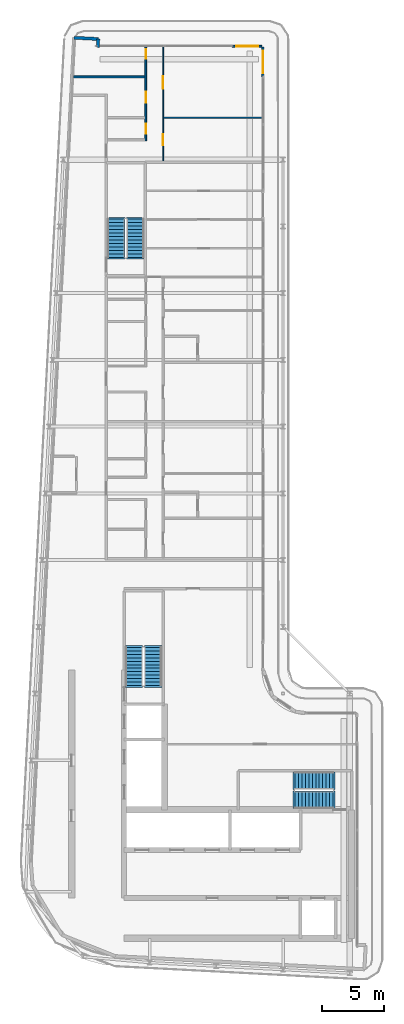
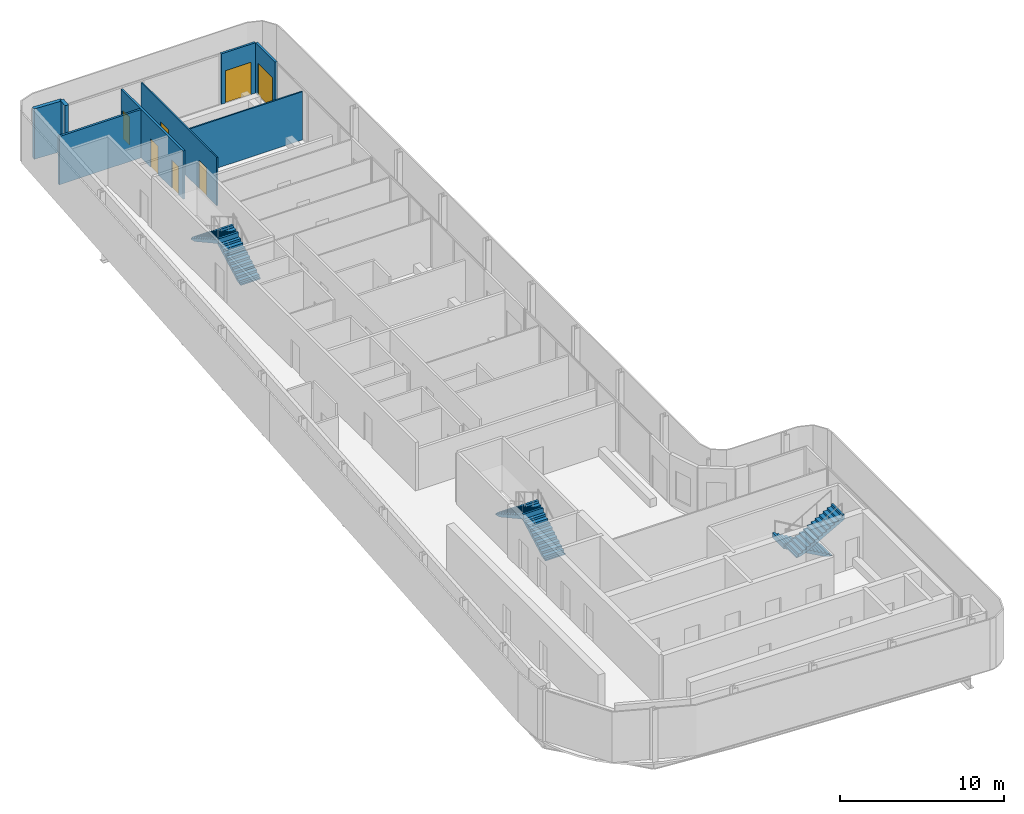
# One storey, part 12 of 18: 8 walls, 7 doors, 6 stair flights, 7 openings, 3 elements without a shape of their own.
"""IFC4 building model written with IfcOpenShell, lengths in metres."""

from ifc_helpers import new_model, si_unit, direction, frame, frame_2d, origin, place, context, subcontext, project, spatial, polyline, rectangle, outline, extrude, source, transform, mapped, material, layer, layer_set, type_object, element, fill, aggregate, save


model = new_model("IFC4")

# Units and contexts
model_context = context("Model", 3, precision=1e-05, world=origin(), true_north=direction((0.0, 1.0)))
body_context = subcontext(model_context, "Body", "Model", "MODEL_VIEW")
ifc_project = project(units=[si_unit("LENGTHUNIT", "METRE"), si_unit("AREAUNIT", "SQUARE_METRE"), si_unit("VOLUMEUNIT", "CUBIC_METRE"), si_unit("PLANEANGLEUNIT", "RADIAN"), si_unit("MASSUNIT", "GRAM", prefix="KILO")], contexts=[model_context])

# Site, building, storey
site_placement = place(None, origin())
site = spatial("IfcSite", under=ifc_project, at=site_placement, CompositionType="ELEMENT")
building_placement = place(site_placement, origin())
building = spatial("IfcBuilding", under=site, at=building_placement, Name="Kheshtan School and Residences Tower", CompositionType="ELEMENT")
storey_placement = place(building_placement, frame((0.0, 0.0, 369.5)))
storey = spatial("IfcBuildingStorey", under=building, at=storey_placement, Name="L87", CompositionType="ELEMENT", Elevation=369.5)

# Walls
ifc_material_1 = material(Name="Concrete C40/50 with ceramic cladding and mineral wool insulation", Category="concrete")
ifc_layer_1 = layer(ifc_material_1, 0.25)
ifc_layer_set_1 = layer_set([ifc_layer_1], Name="External wall 250 ceramic clad")
wall_type_1 = type_object("IfcWallType", Name="External wall 250 ceramic clad", PredefinedType="SOLIDWALL", material=ifc_layer_set_1)
wall_1_placement = place(storey_placement, frame((30.705078125, 98.6640625, 0.0), z_axis=(0.0, 0.0, 1.0), x_axis=(0.998577785791, -0.053314216913, 0.0)))
element("IfcWall", 1, at=wall_1_placement, inside=storey, type_object=wall_type_1, Name="External wall L87 5", PredefinedType="SOLIDWALL", context=body_context, shape_type="SweptSolid", body=[
    extrude(rectangle(XDim=1.95068359375, YDim=0.25, at=frame_2d((0.975341796875, 0.0))), origin(), (0.0, 0.0, 1.0), 3.75),
])
wall_2_placement = place(storey_placement, frame((32.653076171875, 98.56005859375, 0.0), z_axis=(0.0, 0.0, 1.0), x_axis=(-0.054093451632, -0.998535877418, 0.0)))
element("IfcWall", 2, at=wall_2_placement, inside=storey, type_object=wall_type_1, Name="External wall L87 6", PredefinedType="SOLIDWALL", context=body_context, shape_type="SweptSolid", body=[
    extrude(rectangle(XDim=0.66796875, YDim=0.25, at=frame_2d((0.333984375, 0.0))), origin(), (0.0, 0.0, 1.0), 3.75),
])

# Wall, opening, door
ifc_material_2 = material(Name="Aluminium frame wall with insulated infill", Category="aluminium")
ifc_layer_2 = layer(ifc_material_2, 0.14990234375)
ifc_layer_set_2 = layer_set([ifc_layer_2], Name="Glazing frame wall 150")
wall_type_2 = type_object("IfcWallType", Name="Glazing frame wall 150", PredefinedType="SOLIDWALL", material=ifc_layer_set_2)
wall_3_placement = place(storey_placement, frame((43.5, 97.97509765625, 0.0), z_axis=(0.0, 0.0, 1.0), x_axis=(1.0, 0.0, 0.0)))
wall_3 = element("IfcWall", 3, at=wall_3_placement, inside=storey, type_object=wall_type_2, Name="Balcony door wall L87 7.1", PredefinedType="SOLIDWALL", context=body_context, shape_type="SweptSolid", body=[
    extrude(rectangle(XDim=2.39990234375, YDim=0.14990234375, at=frame_2d((1.199951171875, 0.0))), origin(), (0.0, 0.0, 1.0), 3.75),
])
opening_1_placement = place(wall_3_placement, frame((0.300048828125, 0.0, 0.0)))
opening_1 = element("IfcOpeningElement", 4, at=opening_1_placement, cuts=wall_3, Name="Opening BD", PredefinedType="OPENING", context=body_context, shape_type="SweptSolid", body=[
    extrude(rectangle(XDim=1.800048828125, YDim=2.39990234375, at=frame_2d((0.89990234375, 1.199951171875))), frame((0.0, 0.0849609375, 0.0), z_axis=(0.0, -1.0, 0.0), x_axis=(1.0, 0.0, 0.0)), (0.0, 0.0, 1.0), 0.169921875),
])
ifc_material_3 = material(Name="Clear low-e glass in thermally broken aluminium frame", Category="aluminium")
door_type_1 = type_object("IfcDoorType", Name="Balcony sliding door", OperationType="SLIDING_TO_LEFT", PredefinedType="DOOR", material=ifc_material_3)
shared_shape_1 = source(origin(), body_context, "Body", "SweptSolid", [
    extrude(rectangle(XDim=1.800048828125, YDim=2.39990234375, at=frame_2d((0.89990234375, 1.199951171875))), frame((0.0, 0.02490234375, 0.0), z_axis=(0.0, -1.0, 0.0), x_axis=(1.0, 0.0, 0.0)), (0.0, 0.0, 1.0), 0.050048828125),
])
door_1_placement = place(opening_1_placement, origin())
door_1 = element("IfcDoor", 5, at=door_1_placement, inside=storey, type_object=door_type_1, Name="Balcony door L87 7.1", OperationType="SLIDING_TO_LEFT", OverallHeight=2.39990234375, OverallWidth=1.800048828125, PredefinedType="DOOR", context=body_context, shape_type="MappedRepresentation", body=[
    mapped(shared_shape_1, transform((0.0, 0.0, 0.0), x_axis=(1.0, 0.0, 0.0), y_axis=(0.0, 1.0, 0.0), z_axis=(0.0, 0.0, 1.0), scale=1.0)),
])
fill(opening_1, door_1)

wall_4_placement = place(storey_placement, frame((45.97509765625, 97.89990234375, 0.0), z_axis=(0.0, 0.0, 1.0), x_axis=(0.0, -1.0, 0.0)))
wall_4 = element("IfcWall", 6, at=wall_4_placement, inside=storey, type_object=wall_type_2, Name="Balcony door wall L87 8.1", PredefinedType="SOLIDWALL", context=body_context, shape_type="SweptSolid", body=[
    extrude(rectangle(XDim=2.39990234375, YDim=0.14990234375, at=frame_2d((1.199951171875, 0.0))), origin(), (0.0, 0.0, 1.0), 3.75),
])
opening_2_placement = place(wall_4_placement, frame((0.300048828125, 0.0, 0.0)))
opening_2 = element("IfcOpeningElement", 7, at=opening_2_placement, cuts=wall_4, Name="Opening BD", PredefinedType="OPENING", context=body_context, shape_type="SweptSolid", body=[
    extrude(rectangle(XDim=1.800048828125, YDim=2.39990234375, at=frame_2d((0.89990234375, 1.199951171875))), frame((0.0, 0.0849609375, 0.0), z_axis=(0.0, -1.0, 0.0), x_axis=(1.0, 0.0, 0.0)), (0.0, 0.0, 1.0), 0.169921875),
])
door_2_placement = place(opening_2_placement, origin())
door_2 = element("IfcDoor", 8, at=door_2_placement, inside=storey, type_object=door_type_1, Name="Balcony door L87 8.1", OperationType="SLIDING_TO_LEFT", OverallHeight=2.39990234375, OverallWidth=1.800048828125, PredefinedType="DOOR", context=body_context, shape_type="MappedRepresentation", body=[
    mapped(shared_shape_1, transform((0.0, 0.0, 0.0), x_axis=(1.0, 0.0, 0.0), y_axis=(0.0, 1.0, 0.0), z_axis=(0.0, 0.0, 1.0), scale=1.0)),
])
fill(opening_2, door_2)

# Wall, openings, doors
ifc_material_4 = material(Name="Gypsum board on steel studs", Category="steel")
ifc_layer_3 = layer(ifc_material_4, 0.10009765625)
ifc_layer_set_3 = layer_set([ifc_layer_3], Name="Gypsum partition 100")
wall_type_3 = type_object("IfcWallType", Name="Gypsum partition 100", PredefinedType="PARTITIONING", material=ifc_layer_set_3)
wall_5_placement = place(storey_placement, frame((37.89990234375, 88.699951171875, 0.0), z_axis=(0.0, 0.0, 1.0), x_axis=(0.0, 1.0, 0.0)))
wall_5 = element("IfcWall", 9, at=wall_5_placement, inside=storey, type_object=wall_type_3, Name="Partition L87-030", PredefinedType="PARTITIONING", context=body_context, shape_type="SweptSolid", body=[
    extrude(rectangle(XDim=9.199951171875, YDim=0.10009765625, at=frame_2d((4.60009765625, 0.0))), origin(), (0.0, 0.0, 1.0), 3.60009765625),
])
opening_3_placement = place(wall_5_placement, frame((1.25, 0.0, 0.0)))
opening_3 = element("IfcOpeningElement", 10, at=opening_3_placement, cuts=wall_5, Name="Opening D87-024", PredefinedType="OPENING", context=body_context, shape_type="SweptSolid", body=[
    extrude(rectangle(XDim=0.89990234375, YDim=2.10009765625, at=frame_2d((0.449951171875, 1.050048828125))), frame((0.0, 0.06005859375, 0.0), z_axis=(0.0, -1.0, 0.0), x_axis=(1.0, 0.0, 0.0)), (0.0, 0.0, 1.0), 0.1201171875),
])
opening_4_placement = place(wall_5_placement, frame((5.85009765625, 0.0, 0.0)))
opening_4 = element("IfcOpeningElement", 11, at=opening_4_placement, cuts=wall_5, Name="Opening D87-027", PredefinedType="OPENING", context=body_context, shape_type="SweptSolid", body=[
    extrude(rectangle(XDim=1.0, YDim=2.10009765625, at=frame_2d((0.5, 1.050048828125))), frame((0.0, 0.06005859375, 0.0), z_axis=(0.0, -1.0, 0.0), x_axis=(1.0, 0.0, 0.0)), (0.0, 0.0, 1.0), 0.1201171875),
])
ifc_material_5 = material(Name="Veneered timber door leaf", Category="wood")
door_type_2 = type_object("IfcDoorType", Name="Door 1000 x 2100", OperationType="SINGLE_SWING_LEFT", PredefinedType="DOOR", material=ifc_material_5)
shared_shape_2 = source(origin(), body_context, "Body", "SweptSolid", [
    extrude(rectangle(XDim=1.0, YDim=2.10009765625, at=frame_2d((0.5, 1.050048828125))), frame((0.0, 0.02490234375, 0.0), z_axis=(0.0, -1.0, 0.0), x_axis=(1.0, 0.0, 0.0)), (0.0, 0.0, 1.0), 0.050048828125),
])
door_3_placement = place(opening_4_placement, origin())
door_3 = element("IfcDoor", 12, at=door_3_placement, inside=storey, type_object=door_type_2, Name="Door D87-027", OperationType="SINGLE_SWING_RIGHT", OverallHeight=2.10009765625, OverallWidth=1.0, PredefinedType="DOOR", context=body_context, shape_type="MappedRepresentation", body=[
    mapped(shared_shape_2, transform((0.0, 0.0, 0.0), x_axis=(1.0, 0.0, 0.0), y_axis=(0.0, 1.0, 0.0), z_axis=(0.0, 0.0, 1.0), scale=1.0)),
])
fill(opening_4, door_3)
door_type_3 = type_object("IfcDoorType", Name="Door 900 x 2100", OperationType="SINGLE_SWING_LEFT", PredefinedType="DOOR", material=ifc_material_5)
shared_shape_3 = source(origin(), body_context, "Body", "SweptSolid", [
    extrude(rectangle(XDim=0.89990234375, YDim=2.10009765625, at=frame_2d((0.449951171875, 1.050048828125))), frame((0.0, 0.02490234375, 0.0), z_axis=(0.0, -1.0, 0.0), x_axis=(1.0, 0.0, 0.0)), (0.0, 0.0, 1.0), 0.050048828125),
])
door_4_placement = place(opening_3_placement, origin())
door_4 = element("IfcDoor", 13, at=door_4_placement, inside=storey, type_object=door_type_3, Name="Door D87-024", OperationType="SINGLE_SWING_LEFT", OverallHeight=2.10009765625, OverallWidth=0.89990234375, PredefinedType="DOOR", context=body_context, shape_type="MappedRepresentation", body=[
    mapped(shared_shape_3, transform((0.0, 0.0, 0.0), x_axis=(1.0, 0.0, 0.0), y_axis=(0.0, 1.0, 0.0), z_axis=(0.0, 0.0, 1.0), scale=1.0)),
])
fill(opening_3, door_4)

# Walls
wall_6_placement = place(storey_placement, frame((37.949951171875, 92.199951171875, 0.0), z_axis=(0.0, 0.0, 1.0), x_axis=(1.0, 0.0, 0.0)))
element("IfcWall", 14, at=wall_6_placement, inside=storey, type_object=wall_type_3, Name="Partition L87-031", PredefinedType="PARTITIONING", context=body_context, shape_type="SweptSolid", body=[
    extrude(rectangle(XDim=7.949951171875, YDim=0.10009765625, at=frame_2d((3.97509765625, 0.0))), origin(), (0.0, 0.0, 1.0), 3.60009765625),
])
ifc_material_6 = material(Name="Moisture-resistant gypsum board on steel studs", Category="steel")
ifc_layer_4 = layer(ifc_material_6, 0.14990234375)
ifc_layer_set_4 = layer_set([ifc_layer_4], Name="Wet-room partition 150")
wall_type_4 = type_object("IfcWallType", Name="Wet-room partition 150", PredefinedType="PARTITIONING", material=ifc_layer_set_4)
wall_7_placement = place(storey_placement, frame((30.6640625, 95.5, 0.0), z_axis=(0.0, 0.0, 1.0), x_axis=(1.0, 0.0, 0.0)))
element("IfcWall", 15, at=wall_7_placement, inside=storey, type_object=wall_type_4, Name="Partition L87-001", PredefinedType="PARTITIONING", context=body_context, shape_type="SweptSolid", body=[
    extrude(rectangle(XDim=5.760986328125, YDim=0.14990234375, at=frame_2d((2.88037109375, 0.0))), origin(), (0.0, 0.0, 1.0), 3.60009765625),
])

# Wall, openings, doors
wall_8_placement = place(storey_placement, frame((36.5, 90.324951171875, 0.0), z_axis=(0.0, 0.0, 1.0), x_axis=(0.0, 1.0, 0.0)))
wall_8 = element("IfcWall", 16, at=wall_8_placement, inside=storey, type_object=wall_type_4, Name="Partition L87-024", PredefinedType="PARTITIONING", context=body_context, shape_type="SweptSolid", body=[
    extrude(rectangle(XDim=7.574951171875, YDim=0.14990234375, at=frame_2d((3.78759765625, 0.0))), origin(), (0.0, 0.0, 1.0), 3.60009765625),
])
opening_5_placement = place(wall_8_placement, frame((6.625, 0.0, 0.0)))
opening_5 = element("IfcOpeningElement", 17, at=opening_5_placement, cuts=wall_8, Name="Opening D87-023", PredefinedType="OPENING", context=body_context, shape_type="SweptSolid", body=[
    extrude(rectangle(XDim=0.800048828125, YDim=2.10009765625, at=frame_2d((0.39990234375, 1.050048828125))), frame((0.0, 0.0849609375, 0.0), z_axis=(0.0, -1.0, 0.0), x_axis=(1.0, 0.0, 0.0)), (0.0, 0.0, 1.0), 0.169921875),
])
opening_6_placement = place(wall_8_placement, frame((3.074951171875, 0.0, 0.0)))
opening_6 = element("IfcOpeningElement", 18, at=opening_6_placement, cuts=wall_8, Name="Opening D87-026", PredefinedType="OPENING", context=body_context, shape_type="SweptSolid", body=[
    extrude(rectangle(XDim=0.89990234375, YDim=2.10009765625, at=frame_2d((0.449951171875, 1.050048828125))), frame((0.0, 0.0849609375, 0.0), z_axis=(0.0, -1.0, 0.0), x_axis=(1.0, 0.0, 0.0)), (0.0, 0.0, 1.0), 0.169921875),
])
opening_7_placement = place(wall_8_placement, frame((0.574951171875, 0.0, 0.0)))
opening_7 = element("IfcOpeningElement", 19, at=opening_7_placement, cuts=wall_8, Name="Opening D87-028", PredefinedType="OPENING", context=body_context, shape_type="SweptSolid", body=[
    extrude(rectangle(XDim=0.800048828125, YDim=2.10009765625, at=frame_2d((0.39990234375, 1.050048828125))), frame((0.0, 0.0849609375, 0.0), z_axis=(0.0, -1.0, 0.0), x_axis=(1.0, 0.0, 0.0)), (0.0, 0.0, 1.0), 0.169921875),
])
door_type_4 = type_object("IfcDoorType", Name="Door 800 x 2100", OperationType="SINGLE_SWING_LEFT", PredefinedType="DOOR", material=ifc_material_5)
shared_shape_4 = source(origin(), body_context, "Body", "SweptSolid", [
    extrude(rectangle(XDim=0.800048828125, YDim=2.10009765625, at=frame_2d((0.39990234375, 1.050048828125))), frame((0.0, 0.02490234375, 0.0), z_axis=(0.0, -1.0, 0.0), x_axis=(1.0, 0.0, 0.0)), (0.0, 0.0, 1.0), 0.050048828125),
])
door_5_placement = place(opening_5_placement, origin())
door_5 = element("IfcDoor", 20, at=door_5_placement, inside=storey, type_object=door_type_4, Name="Door D87-023", OperationType="SINGLE_SWING_LEFT", OverallHeight=2.10009765625, OverallWidth=0.800048828125, PredefinedType="DOOR", context=body_context, shape_type="MappedRepresentation", body=[
    mapped(shared_shape_4, transform((0.0, 0.0, 0.0), x_axis=(1.0, 0.0, 0.0), y_axis=(0.0, 1.0, 0.0), z_axis=(0.0, 0.0, 1.0), scale=1.0)),
])
fill(opening_5, door_5)
door_6_placement = place(opening_7_placement, origin())
door_6 = element("IfcDoor", 21, at=door_6_placement, inside=storey, type_object=door_type_4, Name="Door D87-028", OperationType="SINGLE_SWING_RIGHT", OverallHeight=2.10009765625, OverallWidth=0.800048828125, PredefinedType="DOOR", context=body_context, shape_type="MappedRepresentation", body=[
    mapped(shared_shape_4, transform((0.0, 0.0, 0.0), x_axis=(1.0, 0.0, 0.0), y_axis=(0.0, 1.0, 0.0), z_axis=(0.0, 0.0, 1.0), scale=1.0)),
])
fill(opening_7, door_6)
door_7_placement = place(opening_6_placement, origin())
door_7 = element("IfcDoor", 22, at=door_7_placement, inside=storey, type_object=door_type_3, Name="Door D87-026", OperationType="SINGLE_SWING_LEFT", OverallHeight=2.10009765625, OverallWidth=0.89990234375, PredefinedType="DOOR", context=body_context, shape_type="MappedRepresentation", body=[
    mapped(shared_shape_3, transform((0.0, 0.0, 0.0), x_axis=(1.0, 0.0, 0.0), y_axis=(0.0, 1.0, 0.0), z_axis=(0.0, 0.0, 1.0), scale=1.0)),
])
fill(opening_6, door_7)

# Stair, stair flights
ifc_material_7 = material(Name="Concrete C40/50", Category="concrete")
stair_type = type_object("IfcStairType", Name="Exit stair, half-turn", PredefinedType="HALF_TURN_STAIR", material=ifc_material_7)
stair_1_placement = place(storey_placement, origin())
stair_1 = element("IfcStair", 23, at=stair_1_placement, inside=storey, type_object=stair_type, Name="L87 Protected Exit Stair ST1", PredefinedType="HALF_TURN_STAIR")
ifc_layer_5 = layer(ifc_material_7, 0.14990234375)
ifc_layer_set_5 = layer_set([ifc_layer_5], Name="Stair flight 1400 Concrete C40/50")
stair_flight_type = type_object("IfcStairFlightType", Name="Stair flight 1400 Concrete C40/50", PredefinedType="STRAIGHT", material=ifc_layer_set_5)
stair_flight_1_placement = place(storey_placement, frame((51.64990234375, 38.550048828125, 0.0), z_axis=(0.0, 0.0, 1.0), x_axis=(-1.0, 0.0, 0.0)))
stair_flight_1 = element("IfcStairFlight", 24, at=stair_flight_1_placement, type_object=stair_flight_type, Name="ST1 flight 1", NumberOfRisers=12, NumberOfTreads=11, PredefinedType="STRAIGHT", RiserHeight=0.1625, TreadLength=0.28, context=body_context, shape_type="SweptSolid", body=[
    extrude(outline(polyline([(-0.14990234375, -0.10009765625), (-0.14990234375, 0.0), (0.0, 0.0), (0.0, 0.16259765625), (0.280029296875, 0.16259765625), (0.280029296875, 0.324951171875), (0.56005859375, 0.324951171875), (0.56005859375, 0.487548828125), (0.840087890625, 0.487548828125), (0.840087890625, 0.64990234375), (1.1201171875, 0.64990234375), (1.1201171875, 0.8125), (1.39990234375, 0.8125), (1.39990234375, 0.97509765625), (1.679931640625, 0.97509765625), (1.679931640625, 1.137451171875), (1.9599609375, 1.137451171875), (1.9599609375, 1.300048828125), (2.239990234375, 1.300048828125), (2.239990234375, 1.46240234375), (2.52001953125, 1.46240234375), (2.52001953125, 1.625), (2.800048828125, 1.625), (2.800048828125, 1.78759765625), (3.080078125, 1.78759765625), (3.080078125, 1.949951171875), (3.080078125, 1.969970703125), (3.22998046875, 1.969970703125), (3.22998046875, 1.6142578125), (0.298583984375, 0.0), (-0.14990234375, -0.10009765625)])), frame((0.0, 0.699951171875, 0.0), z_axis=(0.0, -1.0, 0.0), x_axis=(1.0, 0.0, 0.0)), (0.0, 0.0, 1.0), 1.39990234375),
])
stair_flight_2_placement = place(storey_placement, frame((48.570068359375, 37.0, 1.949951171875), z_axis=(0.0, 0.0, 1.0), x_axis=(1.0, 0.0, 0.0)))
stair_flight_2 = element("IfcStairFlight", 25, at=stair_flight_2_placement, type_object=stair_flight_type, Name="ST1 flight 2", NumberOfRisers=12, NumberOfTreads=11, PredefinedType="STRAIGHT", RiserHeight=0.1625, TreadLength=0.28, context=body_context, shape_type="SweptSolid", body=[
    extrude(outline(polyline([(-0.14990234375, -0.10009765625), (-0.14990234375, 0.0), (0.0, 0.0), (0.0, 0.16259765625), (0.280029296875, 0.16259765625), (0.280029296875, 0.324951171875), (0.56005859375, 0.324951171875), (0.56005859375, 0.487548828125), (0.840087890625, 0.487548828125), (0.840087890625, 0.64990234375), (1.1201171875, 0.64990234375), (1.1201171875, 0.8125), (1.39990234375, 0.8125), (1.39990234375, 0.97509765625), (1.679931640625, 0.97509765625), (1.679931640625, 1.137451171875), (1.9599609375, 1.137451171875), (1.9599609375, 1.300048828125), (2.239990234375, 1.300048828125), (2.239990234375, 1.46240234375), (2.52001953125, 1.46240234375), (2.52001953125, 1.625), (2.800048828125, 1.625), (2.800048828125, 1.78759765625), (3.080078125, 1.78759765625), (3.080078125, 1.949951171875), (3.080078125, 1.969970703125), (3.22998046875, 1.969970703125), (3.22998046875, 1.6142578125), (0.298583984375, 0.0), (-0.14990234375, -0.10009765625)])), frame((0.0, 0.699951171875, 0.0), z_axis=(0.0, -1.0, 0.0), x_axis=(1.0, 0.0, 0.0)), (0.0, 0.0, 1.0), 1.39990234375),
])
aggregate(stair_1, [stair_flight_1, stair_flight_2])

stair_2_placement = place(storey_placement, origin())
stair_2 = element("IfcStair", 26, at=stair_2_placement, inside=storey, type_object=stair_type, Name="L87 Protected Exit Stair ST2", PredefinedType="HALF_TURN_STAIR")
stair_flight_3_placement = place(storey_placement, frame((37.10009765625, 46.25, 0.0), z_axis=(0.0, 0.0, 1.0), x_axis=(0.0, 1.0, 0.0)))
stair_flight_3 = element("IfcStairFlight", 27, at=stair_flight_3_placement, type_object=stair_flight_type, Name="ST2 flight 1", NumberOfRisers=12, NumberOfTreads=11, PredefinedType="STRAIGHT", RiserHeight=0.1625, TreadLength=0.28, context=body_context, shape_type="SweptSolid", body=[
    extrude(outline(polyline([(-0.14990234375, -0.10009765625), (-0.14990234375, 0.0), (0.0, 0.0), (0.0, 0.16259765625), (0.280029296875, 0.16259765625), (0.280029296875, 0.324951171875), (0.56005859375, 0.324951171875), (0.56005859375, 0.487548828125), (0.840087890625, 0.487548828125), (0.840087890625, 0.64990234375), (1.1201171875, 0.64990234375), (1.1201171875, 0.8125), (1.39990234375, 0.8125), (1.39990234375, 0.97509765625), (1.679931640625, 0.97509765625), (1.679931640625, 1.137451171875), (1.9599609375, 1.137451171875), (1.9599609375, 1.300048828125), (2.239990234375, 1.300048828125), (2.239990234375, 1.46240234375), (2.52001953125, 1.46240234375), (2.52001953125, 1.625), (2.800048828125, 1.625), (2.800048828125, 1.78759765625), (3.080078125, 1.78759765625), (3.080078125, 1.949951171875), (3.080078125, 1.969970703125), (3.22998046875, 1.969970703125), (3.22998046875, 1.6142578125), (0.298583984375, 0.0), (-0.14990234375, -0.10009765625)])), frame((0.0, 0.699951171875, 0.0), z_axis=(0.0, -1.0, 0.0), x_axis=(1.0, 0.0, 0.0)), (0.0, 0.0, 1.0), 1.39990234375),
])
stair_flight_4_placement = place(storey_placement, frame((35.550048828125, 49.330078125, 1.949951171875), z_axis=(0.0, 0.0, 1.0), x_axis=(0.0, -1.0, 0.0)))
stair_flight_4 = element("IfcStairFlight", 28, at=stair_flight_4_placement, type_object=stair_flight_type, Name="ST2 flight 2", NumberOfRisers=12, NumberOfTreads=11, PredefinedType="STRAIGHT", RiserHeight=0.1625, TreadLength=0.28, context=body_context, shape_type="SweptSolid", body=[
    extrude(outline(polyline([(-0.14990234375, -0.10009765625), (-0.14990234375, 0.0), (0.0, 0.0), (0.0, 0.16259765625), (0.280029296875, 0.16259765625), (0.280029296875, 0.324951171875), (0.56005859375, 0.324951171875), (0.56005859375, 0.487548828125), (0.840087890625, 0.487548828125), (0.840087890625, 0.64990234375), (1.1201171875, 0.64990234375), (1.1201171875, 0.8125), (1.39990234375, 0.8125), (1.39990234375, 0.97509765625), (1.679931640625, 0.97509765625), (1.679931640625, 1.137451171875), (1.9599609375, 1.137451171875), (1.9599609375, 1.300048828125), (2.239990234375, 1.300048828125), (2.239990234375, 1.46240234375), (2.52001953125, 1.46240234375), (2.52001953125, 1.625), (2.800048828125, 1.625), (2.800048828125, 1.78759765625), (3.080078125, 1.78759765625), (3.080078125, 1.949951171875), (3.080078125, 1.969970703125), (3.22998046875, 1.969970703125), (3.22998046875, 1.6142578125), (0.298583984375, 0.0), (-0.14990234375, -0.10009765625)])), frame((0.0, 0.699951171875, 0.0), z_axis=(0.0, -1.0, 0.0), x_axis=(1.0, 0.0, 0.0)), (0.0, 0.0, 1.0), 1.39990234375),
])
aggregate(stair_2, [stair_flight_3, stair_flight_4])

stair_3_placement = place(storey_placement, origin())
stair_3 = element("IfcStair", 29, at=stair_3_placement, inside=storey, type_object=stair_type, Name="L87 Protected Exit Stair ST3", PredefinedType="HALF_TURN_STAIR")
stair_flight_5_placement = place(storey_placement, frame((35.64990234375, 80.89990234375, 0.0), z_axis=(0.0, 0.0, 1.0), x_axis=(0.0, 1.0, 0.0)))
stair_flight_5 = element("IfcStairFlight", 30, at=stair_flight_5_placement, type_object=stair_flight_type, Name="ST3 flight 1", NumberOfRisers=12, NumberOfTreads=11, PredefinedType="STRAIGHT", RiserHeight=0.1625, TreadLength=0.28, context=body_context, shape_type="SweptSolid", body=[
    extrude(outline(polyline([(-0.14990234375, -0.10009765625), (-0.14990234375, 0.0), (0.0, 0.0), (0.0, 0.16259765625), (0.280029296875, 0.16259765625), (0.280029296875, 0.324951171875), (0.56005859375, 0.324951171875), (0.56005859375, 0.487548828125), (0.840087890625, 0.487548828125), (0.840087890625, 0.64990234375), (1.1201171875, 0.64990234375), (1.1201171875, 0.8125), (1.39990234375, 0.8125), (1.39990234375, 0.97509765625), (1.679931640625, 0.97509765625), (1.679931640625, 1.137451171875), (1.9599609375, 1.137451171875), (1.9599609375, 1.300048828125), (2.239990234375, 1.300048828125), (2.239990234375, 1.46240234375), (2.52001953125, 1.46240234375), (2.52001953125, 1.625), (2.800048828125, 1.625), (2.800048828125, 1.78759765625), (3.080078125, 1.78759765625), (3.080078125, 1.949951171875), (3.080078125, 1.969970703125), (3.22998046875, 1.969970703125), (3.22998046875, 1.6142578125), (0.298583984375, 0.0), (-0.14990234375, -0.10009765625)])), frame((0.0, 0.699951171875, 0.0), z_axis=(0.0, -1.0, 0.0), x_axis=(1.0, 0.0, 0.0)), (0.0, 0.0, 1.0), 1.39990234375),
])
stair_flight_6_placement = place(storey_placement, frame((34.10009765625, 83.97998046875, 1.949951171875), z_axis=(0.0, 0.0, 1.0), x_axis=(0.0, -1.0, 0.0)))
stair_flight_6 = element("IfcStairFlight", 31, at=stair_flight_6_placement, type_object=stair_flight_type, Name="ST3 flight 2", NumberOfRisers=12, NumberOfTreads=11, PredefinedType="STRAIGHT", RiserHeight=0.1625, TreadLength=0.28, context=body_context, shape_type="SweptSolid", body=[
    extrude(outline(polyline([(-0.14990234375, -0.10009765625), (-0.14990234375, 0.0), (0.0, 0.0), (0.0, 0.16259765625), (0.280029296875, 0.16259765625), (0.280029296875, 0.324951171875), (0.56005859375, 0.324951171875), (0.56005859375, 0.487548828125), (0.840087890625, 0.487548828125), (0.840087890625, 0.64990234375), (1.1201171875, 0.64990234375), (1.1201171875, 0.8125), (1.39990234375, 0.8125), (1.39990234375, 0.97509765625), (1.679931640625, 0.97509765625), (1.679931640625, 1.137451171875), (1.9599609375, 1.137451171875), (1.9599609375, 1.300048828125), (2.239990234375, 1.300048828125), (2.239990234375, 1.46240234375), (2.52001953125, 1.46240234375), (2.52001953125, 1.625), (2.800048828125, 1.625), (2.800048828125, 1.78759765625), (3.080078125, 1.78759765625), (3.080078125, 1.949951171875), (3.080078125, 1.969970703125), (3.22998046875, 1.969970703125), (3.22998046875, 1.6142578125), (0.298583984375, 0.0), (-0.14990234375, -0.10009765625)])), frame((0.0, 0.699951171875, 0.0), z_axis=(0.0, -1.0, 0.0), x_axis=(1.0, 0.0, 0.0)), (0.0, 0.0, 1.0), 1.39990234375),
])
aggregate(stair_3, [stair_flight_5, stair_flight_6])

save(model, "model.ifc")
